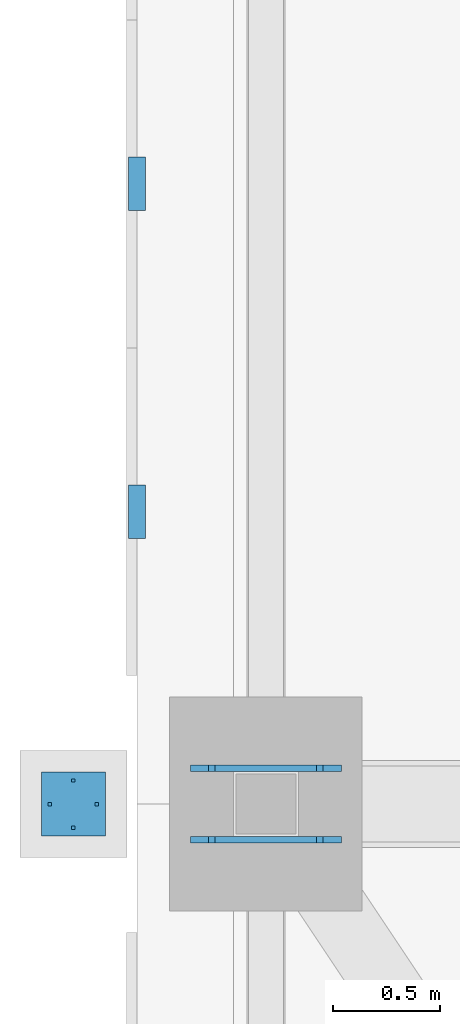
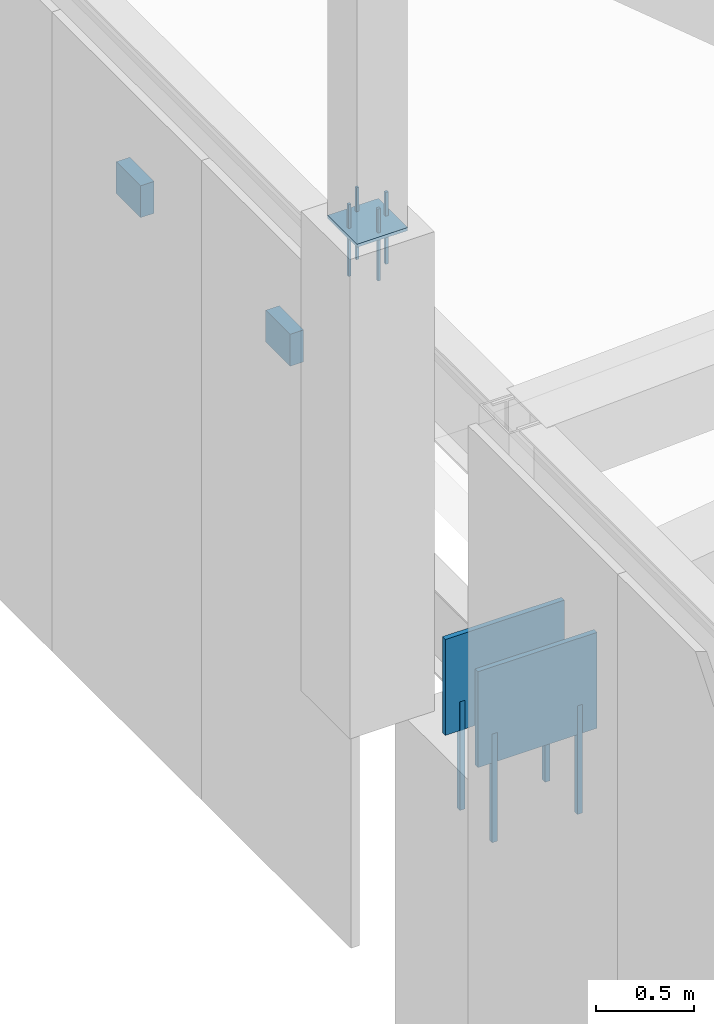
# One storey, part 209 of 278: 8 mechanical fasteners, 5 discrete accessories.
"""IFC4 building model written with IfcOpenShell, lengths in metres."""

import ifcopenshell
import ifcopenshell.guid

model = None  # the IFC model being written
_history = None  # IfcOwnerHistory: only IFC2X3 demands one
_inside = {}  # id of a spatial element -> (the spatial element, [elements in it])
_under = {}  # id of a project, library or spatial element -> (it, [spatial elements below it])
_declared = {}  # id of a project -> (the project, [libraries it declares])
_typed = {}  # id of a type object -> (the type object, [elements of that type])
_made_of = {}  # id of a material, layer set ... -> (it, [elements and type objects made of it])


def new_model(schema):
    """Start an empty IFC model of exactly this schema.

    Asked for "IFC4X3", IfcOpenShell would pick the latest addendum, in which some entities
    have other attributes; the version numbers below select the first issue.
    IFC2X3 requires an IfcOwnerHistory on every rooted entity: one is made here for all.
    """
    global model, _history
    if schema == "IFC4X3":
        model = ifcopenshell.file(schema_version=(4, 3, 0, 0))
    else:
        model = ifcopenshell.file(schema=schema)
    _inside.clear()
    _under.clear()
    _declared.clear()
    _typed.clear()
    _made_of.clear()
    _history = None
    if model.schema == "IFC2X3":
        org = make("IfcOrganization", Name="unknown")
        user = make(
            "IfcPersonAndOrganization",
            ThePerson=make("IfcPerson", FamilyName="unknown"),
            TheOrganization=org,
        )
        app = make(
            "IfcApplication",
            ApplicationDeveloper=org,
            Version="unknown",
            ApplicationFullName="unknown",
            ApplicationIdentifier="unknown",
        )
        _history = make(
            "IfcOwnerHistory",
            OwningUser=user,
            OwningApplication=app,
            ChangeAction="ADDED",
            CreationDate=0,
        )
    return model


def make(cls, **values):
    """One entity of the class cls with the attributes given. An attribute that is None is left unset."""
    return model.create_entity(
        cls, **{name: value for name, value in values.items() if value is not None}
    )


def rooted(cls, **values):
    """An entity with a GlobalId (a new one), such as an element, a storey or a relation."""
    return make(cls, GlobalId=ifcopenshell.guid.new(), OwnerHistory=_history, **values)


def si_unit(unit_type, name, prefix=None):
    """IfcSIUnit, for example si_unit("LENGTHUNIT", "METRE", prefix="MILLI")."""
    return make("IfcSIUnit", UnitType=unit_type, Prefix=prefix, Name=name)


def assignment(units):
    """IfcUnitAssignment: the units of a project."""
    return None if units is None else make("IfcUnitAssignment", Units=units)


def point(xyz):
    """IfcCartesianPoint."""
    return None if xyz is None else make("IfcCartesianPoint", Coordinates=xyz)


def direction(xyz):
    """IfcDirection."""
    return None if xyz is None else make("IfcDirection", DirectionRatios=xyz)


def frame(location, z_axis=None, x_axis=None):
    """IfcAxis2Placement3D, a coordinate frame: its origin and axes. An axis left out is left unset."""
    return make(
        "IfcAxis2Placement3D",
        Location=point(location),
        Axis=direction(z_axis),
        RefDirection=direction(x_axis),
    )


def frame_2d(location, x_axis=None):
    """IfcAxis2Placement2D, a coordinate frame in the plane: its origin and x axis."""
    return make(
        "IfcAxis2Placement2D", Location=point(location), RefDirection=direction(x_axis)
    )


def origin():
    """The frame at (0, 0, 0) with its axes left unset."""
    return frame((0.0, 0.0, 0.0))


def origin_2d():
    """The frame at (0, 0) in the plane with its x axis left unset."""
    return frame_2d((0.0, 0.0))


def place(relative_to, where):
    """IfcLocalPlacement: puts the frame where relative to a parent placement (None: the world)."""
    return make(
        "IfcLocalPlacement", PlacementRelTo=relative_to, RelativePlacement=where
    )


def context(
    kind, dimensions, precision=None, world=None, true_north=None, identifier=None
):
    """IfcGeometricRepresentationContext, for example the 3D "Model" context."""
    return make(
        "IfcGeometricRepresentationContext",
        ContextIdentifier=identifier,
        ContextType=kind,
        CoordinateSpaceDimension=dimensions,
        Precision=precision,
        WorldCoordinateSystem=world,
        TrueNorth=true_north,
    )


def subcontext(parent, identifier, kind, view, scale=None):
    """IfcGeometricRepresentationSubContext, for example "Body" below "Model"."""
    return make(
        "IfcGeometricRepresentationSubContext",
        ContextIdentifier=identifier,
        ContextType=kind,
        ParentContext=parent,
        TargetScale=scale,
        TargetView=view,
    )


def project(units=None, contexts=None):
    """IfcProject with its units and contexts."""
    return rooted(
        "IfcProject",
        Name="project",
        RepresentationContexts=contexts,
        UnitsInContext=assignment(units),
    )


def spatial(cls, under=None, at=None, **own):
    """A site, building, storey or space (cls), placed at a placement, below another one or the project."""
    s = rooted(cls, ObjectPlacement=at, **own)
    if under is not None:
        _under.setdefault(under.id(), (under, []))[1].append(s)
    return s


def profile(cls, at=None, kind="AREA", **sizes):
    """A parametric profile (cls). Its sizes go by their IFC names, for example OverallWidth=200.0."""
    return make(cls, ProfileType=kind, Position=at, **sizes)


def rectangle(**sizes):
    """IfcRectangleProfileDef."""
    return profile("IfcRectangleProfileDef", **sizes)


def extrude(swept, where, along, depth):
    """IfcExtrudedAreaSolid: the profile swept, set in the frame where, extruded along a direction by depth."""
    return make(
        "IfcExtrudedAreaSolid",
        SweptArea=swept,
        Position=where,
        ExtrudedDirection=direction(along),
        Depth=depth,
    )


def shape(context_of_items, identifier, shape_type, items):
    """IfcShapeRepresentation: the items that make up one representation, for example the "Body"."""
    return make(
        "IfcShapeRepresentation",
        ContextOfItems=context_of_items,
        RepresentationIdentifier=identifier,
        RepresentationType=shape_type,
        Items=items,
    )


def material(Name=None, Category=None):
    """IfcMaterial."""
    return make("IfcMaterial", Name=Name, Category=Category)


def layer(
    of_material, thickness, ventilated=None, Name=None, Category=None, Priority=None
):
    """IfcMaterialLayer: one layer of a wall or slab, of a material (None: an air gap)."""
    return make(
        "IfcMaterialLayer",
        Material=of_material,
        LayerThickness=thickness,
        IsVentilated=ventilated,
        Name=Name,
        Category=Category,
        Priority=Priority,
    )


def layer_set(layers, Name=None):
    """IfcMaterialLayerSet."""
    return make("IfcMaterialLayerSet", MaterialLayers=layers, LayerSetName=Name)


def made_of(thing, what):
    """Note that an element or type object is made of a material, layer set ...; save() writes the relation."""
    if what is not None:
        _made_of.setdefault(what.id(), (what, []))[1].append(thing)
    return thing


def type_object(cls, material=None, **own):
    """A type object (cls), such as IfcWallType, which elements share."""
    return made_of(rooted(cls, **own), material)


def element(
    cls,
    number,
    at=None,
    inside=None,
    cuts=None,
    type_object=None,
    material=None,
    context=None,
    identifier="Body",
    shape_type=None,
    held_by="IfcProductDefinitionShape",
    body=None,
    shapes=None,
    **own,
):
    """One element of the class cls, such as IfcWall. Its Tag is "e" and its number.

    at: its placement. inside: the storey or other place that contains it. cuts: it is an
    opening in that element (IfcRelVoidsElement). A single representation is given by context,
    identifier, shape_type and body (its items); several are given by shapes. held_by: the class
    of the entity that holds the representations. save() writes the other relations.
    """
    e = rooted(cls, Tag="e%d" % number, ObjectPlacement=at, **own)
    if body is not None:
        shapes = [shape(context, identifier, shape_type, body)]
    if shapes is not None:
        e.Representation = make(held_by, Representations=shapes)
    if inside is not None:
        _inside.setdefault(inside.id(), (inside, []))[1].append(e)
    if cuts is not None:
        rooted(
            "IfcRelVoidsElement", RelatingBuildingElement=cuts, RelatedOpeningElement=e
        )
    if type_object is not None:
        _typed.setdefault(type_object.id(), (type_object, []))[1].append(e)
    return made_of(e, material)


def aggregate(whole, parts):
    """IfcRelAggregates: a whole, such as a stair, and the parts it consists of."""
    return rooted("IfcRelAggregates", RelatingObject=whole, RelatedObjects=parts)


def save(model, path):
    """Write the relations noted so far, then the file.

    IfcRelAggregates (storeys below a building ...), IfcRelContainedInSpatialStructure (elements
    in a storey), IfcRelDefinesByType, IfcRelAssociatesMaterial and IfcRelDeclares: one each for
    every whole, place, type object, material and project.
    """
    for whole, parts in _under.values():
        aggregate(whole, parts)
    for where, things in _inside.values():
        rooted(
            "IfcRelContainedInSpatialStructure",
            RelatedElements=things,
            RelatingStructure=where,
        )
    for kind, things in _typed.values():
        rooted("IfcRelDefinesByType", RelatedObjects=things, RelatingType=kind)
    for what, things in _made_of.values():
        rooted("IfcRelAssociatesMaterial", RelatedObjects=things, RelatingMaterial=what)
    for by, libraries in _declared.values():
        rooted("IfcRelDeclares", RelatingContext=by, RelatedDefinitions=libraries)
    model.write(path)


model = new_model("IFC4")

# Units and contexts
model_context = context("Model", 3, precision=1e-05, world=origin(), true_north=direction((0.0, 1.0)))
body_context = subcontext(model_context, "Body", "Model", "MODEL_VIEW")
ifc_project = project(units=[si_unit("LENGTHUNIT", "METRE"), si_unit("AREAUNIT", "SQUARE_METRE"), si_unit("VOLUMEUNIT", "CUBIC_METRE"), si_unit("PLANEANGLEUNIT", "RADIAN"), si_unit("MASSUNIT", "GRAM", prefix="KILO")], contexts=[model_context])

# Site, building, storey
site_placement = place(None, origin())
site = spatial("IfcSite", under=ifc_project, at=site_placement, CompositionType="ELEMENT")
building_placement = place(site_placement, origin())
building = spatial("IfcBuilding", under=site, at=building_placement, Name="Ogive Plaza Stadium", CompositionType="ELEMENT")
storey_placement = place(building_placement, frame((0.0, 0.0, 29.0)))
storey = spatial("IfcBuildingStorey", under=building, at=storey_placement, Name="Roof", CompositionType="ELEMENT", Elevation=29.0)

# Mechanical fasteners
ifc_material_1 = material(Name="Steel ASTM A992 Grade 50", Category="steel")
mechanical_fastener_type_1 = type_object("IfcMechanicalFastenerType", Name="Anchor bolt M30 x 600", PredefinedType="ANCHORBOLT", material=ifc_material_1)
for number, where, z_axis, x_axis, name in (
    (1, (-84.25244140625, 37.33349609375, 3.0), (0.0, 0.0, 1.0), (-1.0, 0.0, 0.0), "ANCHOR BOLT 27 BF 1.1"),
    (2, (-83.74755859375, 37.33349609375, 3.0), (0.0, 0.0, 1.0), (-1.0, 0.0, 0.0), "ANCHOR BOLT 27 BF 1.2"),
    (3, (-84.25244140625, 37.66650390625, 3.0), (0.0, 0.0, 1.0), (-1.0, 0.0, 0.0), "ANCHOR BOLT 27 BF 2.1"),
    (4, (-83.74755859375, 37.66650390625, 3.0), (0.0, 0.0, 1.0), (-1.0, 0.0, 0.0), "ANCHOR BOLT 27 BF 2.2"),
):
    element("IfcMechanicalFastener", number, at=place(storey_placement, frame(where, z_axis=z_axis, x_axis=x_axis)), inside=storey, type_object=mechanical_fastener_type_1, Name=name, PredefinedType="ANCHORBOLT", context=body_context, shape_type="SweptSolid", body=[
        extrude(rectangle(XDim=0.030029296875, YDim=0.030029296875, at=origin_2d()), origin(), (0.0, 0.0, 1.0), 0.679931640625),
    ])
ifc_material_2 = material(Name="Steel ASTM A992 Grade 50", Category="steel")
mechanical_fastener_type_2 = type_object("IfcMechanicalFastenerType", Name="Spire anchor bolt M16 x 450", PredefinedType="ANCHORBOLT", material=ifc_material_2)
for number, where, z_axis, x_axis, name in (
    (5, (-85.010009765625, 37.5, 6.7001953125), (0.0, 0.0, 1.0), (-1.0, 0.0, 0.0), "SPIRE ANCHOR BOLT 27 1"),
    (6, (-84.7900390625, 37.5, 6.7001953125), (0.0, 0.0, 1.0), (-1.0, 0.0, 0.0), "SPIRE ANCHOR BOLT 27 2"),
    (7, (-84.89990234375, 37.389892578125, 6.7001953125), (0.0, 0.0, 1.0), (-1.0, 0.0, 0.0), "SPIRE ANCHOR BOLT 27 3"),
    (8, (-84.89990234375, 37.610107421875, 6.7001953125), (0.0, 0.0, 1.0), (-1.0, 0.0, 0.0), "SPIRE ANCHOR BOLT 27 4"),
):
    element("IfcMechanicalFastener", number, at=place(storey_placement, frame(where, z_axis=z_axis, x_axis=x_axis)), inside=storey, type_object=mechanical_fastener_type_2, Name=name, PredefinedType="ANCHORBOLT", context=body_context, shape_type="SweptSolid", body=[
        extrude(rectangle(XDim=0.01611328125, YDim=0.01611328125, at=origin_2d()), origin(), (0.0, 0.0, 1.0), 0.449951171875),
    ])

# Discrete accessories
ifc_material_3 = material(Name="Steel ASTM A992 Grade 50", Category="steel")
ifc_layer_1 = layer(ifc_material_3, 0.02001953125)
ifc_layer_set_1 = layer_set([ifc_layer_1], Name="Steel ASTM A992 Grade 50")
discrete_accessory_type_1 = type_object("IfcDiscreteAccessoryType", Name="Spire seat plate 20", PredefinedType="ANCHORPLATE", material=ifc_layer_set_1)
discrete_accessory_placement = place(storey_placement, frame((-84.89990234375, 37.5, 6.98095703125), z_axis=(0.0, 0.0, 1.0), x_axis=(-1.0, 0.0, 0.0)))
element("IfcDiscreteAccessory", 9, at=discrete_accessory_placement, inside=storey, type_object=discrete_accessory_type_1, Name="SPIRE SEAT PLATE 27", PredefinedType="ANCHORPLATE", context=body_context, shape_type="SweptSolid", body=[
    extrude(rectangle(XDim=0.300048828125, YDim=0.300048828125, at=origin_2d()), origin(), (0.0, 0.0, 1.0), 0.02001953125),
])
ifc_material_4 = material(Name="Steel ASTM A572 Grade 50", Category="steel")
ifc_layer_2 = layer(ifc_material_4, 0.080078125)
ifc_layer_set_2 = layer_set([ifc_layer_2], Name="Steel ASTM A572 Grade 50")
discrete_accessory_type_2 = type_object("IfcDiscreteAccessoryType", Name="Tracery screen bracket 250x200", PredefinedType="BRACKET", material=ifc_layer_set_2)
for number, where, z_axis, x_axis, name in (
    (10, (-84.602294921875, 38.86669921875, 5.25), (0.0, 0.0, 1.0), (0.0, 1.0, 0.0), "TRACERY SCREEN BRACKET B27 1"),
    (11, (-84.602294921875, 40.39990234375, 5.25), (0.0, 0.0, 1.0), (0.0, 1.0, 0.0), "TRACERY SCREEN BRACKET B27 2"),
):
    element("IfcDiscreteAccessory", number, at=place(storey_placement, frame(where, z_axis=z_axis, x_axis=x_axis)), inside=storey, type_object=discrete_accessory_type_2, Name=name, PredefinedType="BRACKET", context=body_context, shape_type="SweptSolid", body=[
        extrude(rectangle(XDim=0.25, YDim=0.080078125, at=origin_2d()), origin(), (0.0, 0.0, 1.0), 0.199951171875),
    ])
ifc_material_5 = material(Name="Steel ASTM A992 Grade 50", Category="steel")
ifc_layer_3 = layer(ifc_material_5, 0.030029296875)
ifc_layer_set_3 = layer_set([ifc_layer_3], Name="Steel ASTM A992 Grade 50")
discrete_accessory_type_3 = type_object("IfcDiscreteAccessoryType", Name="Truss back-stay foot cleat plate 30", PredefinedType="ANCHORPLATE", material=ifc_layer_set_3)
for number, where, z_axis, x_axis, name in (
    (12, (-84.0, 37.33349609375, 3.5), (0.0, 0.0, 1.0), (-1.0, 0.0, 0.0), "TRUSS BACK-STAY FOOT CLEAT PLATE 27 1"),
    (13, (-84.0, 37.66650390625, 3.5), (0.0, 0.0, 1.0), (-1.0, 0.0, 0.0), "TRUSS BACK-STAY FOOT CLEAT PLATE 27 2"),
):
    element("IfcDiscreteAccessory", number, at=place(storey_placement, frame(where, z_axis=z_axis, x_axis=x_axis)), inside=storey, type_object=discrete_accessory_type_3, Name=name, PredefinedType="ANCHORPLATE", context=body_context, shape_type="SweptSolid", body=[
        extrude(rectangle(XDim=0.704833984375, YDim=0.030029296875, at=origin_2d()), origin(), (0.0, 0.0, 1.0), 0.60009765625),
    ])

save(model, "model.ifc")
